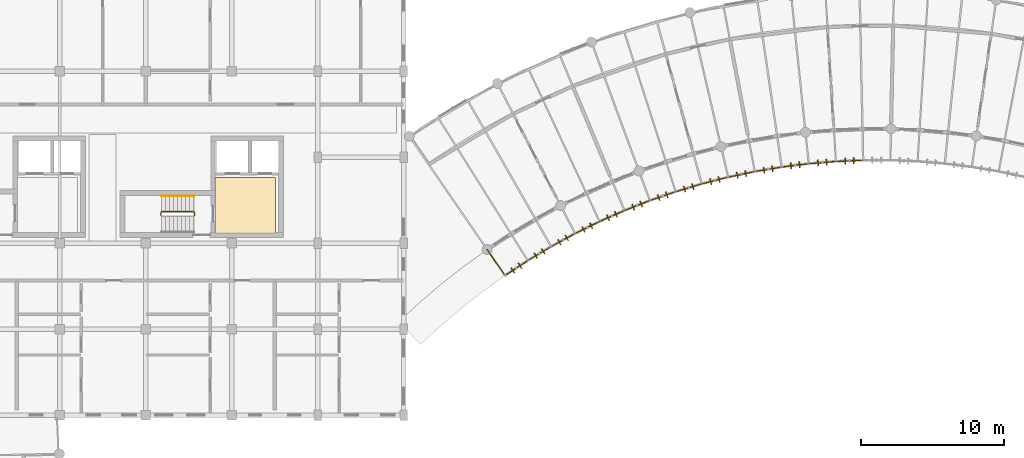
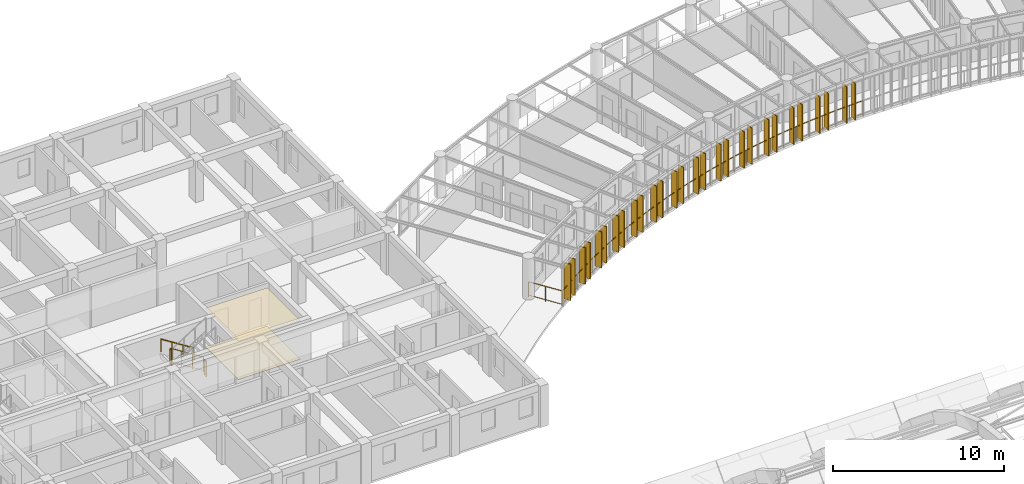
# One storey, part 118 of 123: 28 shading devices, 19 railings, 2 coverings.
"""IFC4 building model written with IfcOpenShell, lengths in metres."""

from ifc_helpers import new_model, si_unit, direction, frame, origin, origin_2d, place, context, subcontext, project, spatial, polyline, rectangle, circle, outline, extrude, material, layer, layer_set, type_object, element, save


model = new_model("IFC4")

# Units and contexts
model_context = context("Model", 3, precision=1e-05, world=origin(), true_north=direction((0.0, 1.0)))
body_context = subcontext(model_context, "Body", "Model", "MODEL_VIEW")
ifc_project = project(units=[si_unit("LENGTHUNIT", "METRE"), si_unit("AREAUNIT", "SQUARE_METRE"), si_unit("VOLUMEUNIT", "CUBIC_METRE"), si_unit("PLANEANGLEUNIT", "RADIAN"), si_unit("MASSUNIT", "GRAM", prefix="KILO"), si_unit("POWERUNIT", "WATT"), si_unit("THERMODYNAMICTEMPERATUREUNIT", "KELVIN")], contexts=[model_context])

# Site, building, storey
site_placement = place(None, origin())
site = spatial("IfcSite", under=ifc_project, at=site_placement, CompositionType="ELEMENT")
building_placement = place(site_placement, origin())
building = spatial("IfcBuilding", under=site, at=building_placement, Name="Ruvembo Vaulted Housing Court", CompositionType="ELEMENT")
storey_placement = place(building_placement, frame((0.0, 0.0, 7.699951171875)))
storey = spatial("IfcBuildingStorey", under=building, at=storey_placement, Name="L02", CompositionType="ELEMENT", Elevation=7.699951171875)

# Coverings
ifc_material_1 = material(Name="Perforated Mineral-Fibre Acoustic Tile", Category="gypsum")
ifc_layer_1 = layer(ifc_material_1, 0.02001953125, Name="Perforated Mineral-Fibre Acoustic Tile")
ifc_layer_set_1 = layer_set([ifc_layer_1], Name="Perforated Mineral-Fibre Acoustic Tile")
covering_type_1 = type_object("IfcCoveringType", Name="COV-CEIL-ACOUST", PredefinedType="CEILING", material=ifc_layer_set_1)
covering_1_placement = place(storey_placement, frame((0.0, 0.0, 2.75)))
element("IfcCovering", 1, at=covering_1_placement, inside=storey, type_object=covering_type_1, Name="Protected Core Lobby B2 Ceiling", PredefinedType="CEILING", context=body_context, shape_type="SweptSolid", body=[
    extrude(outline(polyline([(75.050048828125, 94.60009765625), (70.85009765625, 94.60009765625), (70.85009765625, 90.699951171875), (75.050048828125, 90.699951171875), (75.050048828125, 94.60009765625)])), origin(), (0.0, 0.0, 1.0), 0.02001953125),
])
ifc_material_2 = material(Name="Polished Cement-Aggregate Terrazzo", Category="stone")
ifc_layer_2 = layer(ifc_material_2, 0.02197265625, Name="Polished Cement-Aggregate Terrazzo")
ifc_layer_set_2 = layer_set([ifc_layer_2], Name="Polished Cement-Aggregate Terrazzo")
covering_type_2 = type_object("IfcCoveringType", Name="COV-FLR-CERAMIC", PredefinedType="FLOORING", material=ifc_layer_set_2)
covering_2_placement = place(storey_placement, origin())
element("IfcCovering", 2, at=covering_2_placement, inside=storey, type_object=covering_type_2, Name="Protected Core Lobby B2 Flooring", PredefinedType="FLOORING", context=body_context, shape_type="SweptSolid", body=[
    extrude(outline(polyline([(75.050048828125, 94.60009765625), (70.85009765625, 94.60009765625), (70.85009765625, 90.699951171875), (75.050048828125, 90.699951171875), (75.050048828125, 94.60009765625)])), origin(), (0.0, 0.0, 1.0), 0.02197265625),
])

# Railings
ifc_material_3 = material(Name="Galvanised Painted Steel S275", Category="steel")
ifc_layer_3 = layer(ifc_material_3, 0.06005859375, Name="Galvanised Painted Steel S275")
ifc_layer_set_3 = layer_set([ifc_layer_3], Name="Galvanised Painted Steel S275")
railing_type_1 = type_object("IfcRailingType", Name="RL-GUARD-1100", PredefinedType="GUARDRAIL", material=ifc_layer_set_3)
railing_1_placement = place(storey_placement, frame((89.82177734375, 89.564453125, 0.0)))
element("IfcRailing", 3, at=railing_1_placement, inside=storey, type_object=railing_type_1, Name="L02 Perimeter Guard RL-EXT-L02-0608", PredefinedType="GUARDRAIL", context=body_context, shape_type="SweptSolid", body=[
    extrude(circle(Radius=0.02392578125, at=origin_2d()), frame((0.0, 0.0, 1.076171875), z_axis=(0.566222630619, -0.82425234763, 0.0), x_axis=(0.82425234763, 0.566222630619, 0.0)), (0.0, 0.0, 1.0), 2.199951171875),
    extrude(circle(Radius=0.01806640625, at=origin_2d()), frame((0.0, 0.0, 0.1201171875), z_axis=(0.566222630619, -0.82425234763, 0.0), x_axis=(0.82425234763, 0.566222630619, 0.0)), (0.0, 0.0, 1.0), 2.199951171875),
    extrude(circle(Radius=0.02099609375, at=origin_2d()), origin(), (0.0, 0.0, 1.0), 1.052001953125),
    extrude(circle(Radius=0.02099609375, at=origin_2d()), frame((0.622802734375, -0.90673828125, 0.0)), (0.0, 0.0, 1.0), 1.052001953125),
    extrude(circle(Radius=0.02099609375, at=origin_2d()), frame((1.24560546875, -1.813232421875, 0.0)), (0.0, 0.0, 1.0), 1.052001953125),
])
railing_2_placement = place(storey_placement, frame((91.0673828125, 87.751220703125, 0.0)))
element("IfcRailing", 4, at=railing_2_placement, inside=storey, type_object=railing_type_1, Name="L02 Perimeter Guard RL-EXT-L02-0609", PredefinedType="GUARDRAIL", context=body_context, shape_type="SweptSolid", body=[
    extrude(circle(Radius=0.02392578125, at=origin_2d()), frame((0.0, 0.0, 1.076171875), z_axis=(0.835902452778, 0.548878027834, 0.0), x_axis=(-0.548878027834, 0.835902452778, 0.0)), (0.0, 0.0, 1.0), 1.901123046875),
    extrude(circle(Radius=0.01806640625, at=origin_2d()), frame((0.0, 0.0, 0.1201171875), z_axis=(0.835902452778, 0.548878027834, 0.0), x_axis=(-0.548878027834, 0.835902452778, 0.0)), (0.0, 0.0, 1.0), 1.901123046875),
    extrude(circle(Radius=0.02099609375, at=origin_2d()), origin(), (0.0, 0.0, 1.0), 1.052001953125),
    extrude(circle(Radius=0.02099609375, at=origin_2d()), frame((0.79443359375, 0.521728515625, 0.0)), (0.0, 0.0, 1.0), 1.052001953125),
    extrude(circle(Radius=0.02099609375, at=origin_2d()), frame((1.589111328125, 1.04345703125, 0.0)), (0.0, 0.0, 1.0), 1.052001953125),
])
railing_3_placement = place(storey_placement, frame((92.656494140625, 88.794677734375, 0.0)))
element("IfcRailing", 5, at=railing_3_placement, inside=storey, type_object=railing_type_1, Name="L02 Perimeter Guard RL-EXT-L02-0610", PredefinedType="GUARDRAIL", context=body_context, shape_type="SweptSolid", body=[
    extrude(circle(Radius=0.02392578125, at=origin_2d()), frame((0.0, 0.0, 1.076171875), z_axis=(0.857889282303, 0.513834583607, 0.0), x_axis=(-0.513834583607, 0.857889282303, 0.0)), (0.0, 0.0, 1.0), 1.901123046875),
    extrude(circle(Radius=0.01806640625, at=origin_2d()), frame((0.0, 0.0, 0.1201171875), z_axis=(0.857889282303, 0.513834583607, 0.0), x_axis=(-0.513834583607, 0.857889282303, 0.0)), (0.0, 0.0, 1.0), 1.901123046875),
    extrude(circle(Radius=0.02099609375, at=origin_2d()), origin(), (0.0, 0.0, 1.0), 1.052001953125),
    extrude(circle(Radius=0.02099609375, at=origin_2d()), frame((0.8154296875, 0.48828125, 0.0)), (0.0, 0.0, 1.0), 1.052001953125),
    extrude(circle(Radius=0.02099609375, at=origin_2d()), frame((1.630859375, 0.976806640625, 0.0)), (0.0, 0.0, 1.0), 1.052001953125),
])
railing_4_placement = place(storey_placement, frame((94.287353515625, 89.771484375, 0.0)))
element("IfcRailing", 6, at=railing_4_placement, inside=storey, type_object=railing_type_1, Name="L02 Perimeter Guard RL-EXT-L02-0611", PredefinedType="GUARDRAIL", context=body_context, shape_type="SweptSolid", body=[
    extrude(circle(Radius=0.02392578125, at=origin_2d()), frame((0.0, 0.0, 1.076171875), z_axis=(0.878513214386, 0.477718046706, 0.0), x_axis=(-0.477718046706, 0.878513214386, 0.0)), (0.0, 0.0, 1.0), 1.901123046875),
    extrude(circle(Radius=0.01806640625, at=origin_2d()), frame((0.0, 0.0, 0.1201171875), z_axis=(0.878513214386, 0.477718046706, 0.0), x_axis=(-0.477718046706, 0.878513214386, 0.0)), (0.0, 0.0, 1.0), 1.901123046875),
    extrude(circle(Radius=0.02099609375, at=origin_2d()), origin(), (0.0, 0.0, 1.0), 1.052001953125),
    extrude(circle(Radius=0.02099609375, at=origin_2d()), frame((0.8349609375, 0.4541015625, 0.0)), (0.0, 0.0, 1.0), 1.052001953125),
    extrude(circle(Radius=0.02099609375, at=origin_2d()), frame((1.670166015625, 0.908203125, 0.0)), (0.0, 0.0, 1.0), 1.052001953125),
])
railing_5_placement = place(storey_placement, frame((95.95751953125, 90.6796875, 0.0)))
element("IfcRailing", 7, at=railing_5_placement, inside=storey, type_object=railing_type_1, Name="L02 Perimeter Guard RL-EXT-L02-0612", PredefinedType="GUARDRAIL", context=body_context, shape_type="SweptSolid", body=[
    extrude(circle(Radius=0.02392578125, at=origin_2d()), frame((0.0, 0.0, 1.076171875), z_axis=(0.897513310314, 0.44098736695, 0.0), x_axis=(-0.44098736695, 0.897513310314, 0.0)), (0.0, 0.0, 1.0), 1.901123046875),
    extrude(circle(Radius=0.01806640625, at=origin_2d()), frame((0.0, 0.0, 0.1201171875), z_axis=(0.897513310314, 0.44098736695, 0.0), x_axis=(-0.44098736695, 0.897513310314, 0.0)), (0.0, 0.0, 1.0), 1.901123046875),
    extrude(circle(Radius=0.02099609375, at=origin_2d()), origin(), (0.0, 0.0, 1.0), 1.052001953125),
    extrude(circle(Radius=0.02099609375, at=origin_2d()), frame((0.85302734375, 0.419189453125, 0.0)), (0.0, 0.0, 1.0), 1.052001953125),
    extrude(circle(Radius=0.02099609375, at=origin_2d()), frame((1.706298828125, 0.83837890625, 0.0)), (0.0, 0.0, 1.0), 1.052001953125),
])
railing_6_placement = place(storey_placement, frame((97.663818359375, 91.51806640625, 0.0)))
element("IfcRailing", 8, at=railing_6_placement, inside=storey, type_object=railing_type_1, Name="L02 Perimeter Guard RL-EXT-L02-0613", PredefinedType="GUARDRAIL", context=body_context, shape_type="SweptSolid", body=[
    extrude(circle(Radius=0.02392578125, at=origin_2d()), frame((0.0, 0.0, 1.076171875), z_axis=(0.91507815309, 0.403276547467, 0.0), x_axis=(-0.403276547467, 0.91507815309, 0.0)), (0.0, 0.0, 1.0), 1.90087890625),
    extrude(circle(Radius=0.01806640625, at=origin_2d()), frame((0.0, 0.0, 0.1201171875), z_axis=(0.91507815309, 0.403276547467, 0.0), x_axis=(-0.403276547467, 0.91507815309, 0.0)), (0.0, 0.0, 1.0), 1.90087890625),
    extrude(circle(Radius=0.02099609375, at=origin_2d()), origin(), (0.0, 0.0, 1.0), 1.052001953125),
    extrude(circle(Radius=0.02099609375, at=origin_2d()), frame((0.86962890625, 0.38330078125, 0.0)), (0.0, 0.0, 1.0), 1.052001953125),
    extrude(circle(Radius=0.02099609375, at=origin_2d()), frame((1.739501953125, 0.7666015625, 0.0)), (0.0, 0.0, 1.0), 1.052001953125),
])
railing_7_placement = place(storey_placement, frame((99.4033203125, 92.28466796875, 0.0)))
element("IfcRailing", 9, at=railing_7_placement, inside=storey, type_object=railing_type_1, Name="L02 Perimeter Guard RL-EXT-L02-0614", PredefinedType="GUARDRAIL", context=body_context, shape_type="SweptSolid", body=[
    extrude(circle(Radius=0.02392578125, at=origin_2d()), frame((0.0, 0.0, 1.076171875), z_axis=(0.931005720133, 0.365004587752, 0.0), x_axis=(-0.365004587752, 0.931005720133, 0.0)), (0.0, 0.0, 1.0), 1.90087890625),
    extrude(circle(Radius=0.01806640625, at=origin_2d()), frame((0.0, 0.0, 0.1201171875), z_axis=(0.931005720133, 0.365004587752, 0.0), x_axis=(-0.365004587752, 0.931005720133, 0.0)), (0.0, 0.0, 1.0), 1.90087890625),
    extrude(circle(Radius=0.02099609375, at=origin_2d()), origin(), (0.0, 0.0, 1.0), 1.052001953125),
    extrude(circle(Radius=0.02099609375, at=origin_2d()), frame((0.884765625, 0.346923828125, 0.0)), (0.0, 0.0, 1.0), 1.052001953125),
    extrude(circle(Radius=0.02099609375, at=origin_2d()), frame((1.769775390625, 0.69384765625, 0.0)), (0.0, 0.0, 1.0), 1.052001953125),
])
railing_8_placement = place(storey_placement, frame((101.173095703125, 92.978515625, 0.0)))
element("IfcRailing", 10, at=railing_8_placement, inside=storey, type_object=railing_type_1, Name="L02 Perimeter Guard RL-EXT-L02-0615", PredefinedType="GUARDRAIL", context=body_context, shape_type="SweptSolid", body=[
    extrude(circle(Radius=0.02392578125, at=origin_2d()), frame((0.0, 0.0, 1.076171875), z_axis=(0.945357969834, 0.326034214264, 0.0), x_axis=(-0.326034214264, 0.945357969834, 0.0)), (0.0, 0.0, 1.0), 1.9013671875),
    extrude(circle(Radius=0.01806640625, at=origin_2d()), frame((0.0, 0.0, 0.1201171875), z_axis=(0.945357969834, 0.326034214264, 0.0), x_axis=(-0.326034214264, 0.945357969834, 0.0)), (0.0, 0.0, 1.0), 1.9013671875),
    extrude(circle(Radius=0.02099609375, at=origin_2d()), origin(), (0.0, 0.0, 1.0), 1.052001953125),
    extrude(circle(Radius=0.02099609375, at=origin_2d()), frame((0.898681640625, 0.31005859375, 0.0)), (0.0, 0.0, 1.0), 1.052001953125),
    extrude(circle(Radius=0.02099609375, at=origin_2d()), frame((1.79736328125, 0.619873046875, 0.0)), (0.0, 0.0, 1.0), 1.052001953125),
])
railing_9_placement = place(storey_placement, frame((102.970458984375, 93.598388671875, 0.0)))
element("IfcRailing", 11, at=railing_9_placement, inside=storey, type_object=railing_type_1, Name="L02 Perimeter Guard RL-EXT-L02-0616", PredefinedType="GUARDRAIL", context=body_context, shape_type="SweptSolid", body=[
    extrude(circle(Radius=0.02392578125, at=origin_2d()), frame((0.0, 0.0, 1.076171875), z_axis=(0.958108609181, 0.286405120439, 0.0), x_axis=(-0.286405120439, 0.958108609181, 0.0)), (0.0, 0.0, 1.0), 1.90087890625),
    extrude(circle(Radius=0.01806640625, at=origin_2d()), frame((0.0, 0.0, 0.1201171875), z_axis=(0.958108609181, 0.286405120439, 0.0), x_axis=(-0.286405120439, 0.958108609181, 0.0)), (0.0, 0.0, 1.0), 1.90087890625),
    extrude(circle(Radius=0.02099609375, at=origin_2d()), origin(), (0.0, 0.0, 1.0), 1.052001953125),
    extrude(circle(Radius=0.02099609375, at=origin_2d()), frame((0.91064453125, 0.272216796875, 0.0)), (0.0, 0.0, 1.0), 1.052001953125),
    extrude(circle(Radius=0.02099609375, at=origin_2d()), frame((1.8212890625, 0.54443359375, 0.0)), (0.0, 0.0, 1.0), 1.052001953125),
])
railing_10_placement = place(storey_placement, frame((104.791748046875, 94.142822265625, 0.0)))
element("IfcRailing", 12, at=railing_10_placement, inside=storey, type_object=railing_type_1, Name="L02 Perimeter Guard RL-EXT-L02-0617", PredefinedType="GUARDRAIL", context=body_context, shape_type="SweptSolid", body=[
    extrude(circle(Radius=0.02392578125, at=origin_2d()), frame((0.0, 0.0, 1.076171875), z_axis=(0.969121730429, 0.246582788553, 0.0), x_axis=(-0.246582788553, 0.969121730429, 0.0)), (0.0, 0.0, 1.0), 1.90087890625),
    extrude(circle(Radius=0.01806640625, at=origin_2d()), frame((0.0, 0.0, 0.1201171875), z_axis=(0.969121730429, 0.246582788553, 0.0), x_axis=(-0.246582788553, 0.969121730429, 0.0)), (0.0, 0.0, 1.0), 1.90087890625),
    extrude(circle(Radius=0.02099609375, at=origin_2d()), origin(), (0.0, 0.0, 1.0), 1.052001953125),
    extrude(circle(Radius=0.02099609375, at=origin_2d()), frame((0.921142578125, 0.234375, 0.0)), (0.0, 0.0, 1.0), 1.052001953125),
    extrude(circle(Radius=0.02099609375, at=origin_2d()), frame((1.84228515625, 0.46875, 0.0)), (0.0, 0.0, 1.0), 1.052001953125),
])
railing_11_placement = place(storey_placement, frame((106.634033203125, 94.611572265625, 0.0)))
element("IfcRailing", 13, at=railing_11_placement, inside=storey, type_object=railing_type_1, Name="L02 Perimeter Guard RL-EXT-L02-0618", PredefinedType="GUARDRAIL", context=body_context, shape_type="SweptSolid", body=[
    extrude(circle(Radius=0.02392578125, at=origin_2d()), frame((0.0, 0.0, 1.076171875), z_axis=(0.978529342624, 0.206107558387, 0.0), x_axis=(-0.206107558387, 0.978529342624, 0.0)), (0.0, 0.0, 1.0), 1.901123046875),
    extrude(circle(Radius=0.01806640625, at=origin_2d()), frame((0.0, 0.0, 0.1201171875), z_axis=(0.978529342624, 0.206107558387, 0.0), x_axis=(-0.206107558387, 0.978529342624, 0.0)), (0.0, 0.0, 1.0), 1.901123046875),
    extrude(circle(Radius=0.02099609375, at=origin_2d()), origin(), (0.0, 0.0, 1.0), 1.052001953125),
    extrude(circle(Radius=0.02099609375, at=origin_2d()), frame((0.93017578125, 0.19580078125, 0.0)), (0.0, 0.0, 1.0), 1.052001953125),
    extrude(circle(Radius=0.02099609375, at=origin_2d()), frame((1.8603515625, 0.391845703125, 0.0)), (0.0, 0.0, 1.0), 1.052001953125),
])
railing_12_placement = place(storey_placement, frame((108.494384765625, 95.00341796875, 0.0)))
element("IfcRailing", 14, at=railing_12_placement, inside=storey, type_object=railing_type_1, Name="L02 Perimeter Guard RL-EXT-L02-0619", PredefinedType="GUARDRAIL", context=body_context, shape_type="SweptSolid", body=[
    extrude(circle(Radius=0.02392578125, at=origin_2d()), frame((0.0, 0.0, 1.076171875), z_axis=(0.986265186139, 0.165169557153, 0.0), x_axis=(-0.165169557153, 0.986265186139, 0.0)), (0.0, 0.0, 1.0), 1.90087890625),
    extrude(circle(Radius=0.01806640625, at=origin_2d()), frame((0.0, 0.0, 0.1201171875), z_axis=(0.986265186139, 0.165169557153, 0.0), x_axis=(-0.165169557153, 0.986265186139, 0.0)), (0.0, 0.0, 1.0), 1.90087890625),
    extrude(circle(Radius=0.02099609375, at=origin_2d()), origin(), (0.0, 0.0, 1.0), 1.052001953125),
    extrude(circle(Radius=0.02099609375, at=origin_2d()), frame((0.9375, 0.156982421875, 0.0)), (0.0, 0.0, 1.0), 1.052001953125),
    extrude(circle(Radius=0.02099609375, at=origin_2d()), frame((1.874755859375, 0.31396484375, 0.0)), (0.0, 0.0, 1.0), 1.052001953125),
])
railing_13_placement = place(storey_placement, frame((110.369140625, 95.3173828125, 0.0)))
element("IfcRailing", 15, at=railing_13_placement, inside=storey, type_object=railing_type_1, Name="L02 Perimeter Guard RL-EXT-L02-0620", PredefinedType="GUARDRAIL", context=body_context, shape_type="SweptSolid", body=[
    extrude(circle(Radius=0.02392578125, at=origin_2d()), frame((0.0, 0.0, 1.076171875), z_axis=(0.992244255502, 0.124303408739, 0.0), x_axis=(-0.124303408739, 0.992244255502, 0.0)), (0.0, 0.0, 1.0), 1.901123046875),
    extrude(circle(Radius=0.01806640625, at=origin_2d()), frame((0.0, 0.0, 0.1201171875), z_axis=(0.992244255502, 0.124303408739, 0.0), x_axis=(-0.124303408739, 0.992244255502, 0.0)), (0.0, 0.0, 1.0), 1.901123046875),
    extrude(circle(Radius=0.02099609375, at=origin_2d()), origin(), (0.0, 0.0, 1.0), 1.052001953125),
    extrude(circle(Radius=0.02099609375, at=origin_2d()), frame((0.943359375, 0.1181640625, 0.0)), (0.0, 0.0, 1.0), 1.052001953125),
    extrude(circle(Radius=0.02099609375, at=origin_2d()), frame((1.886474609375, 0.236328125, 0.0)), (0.0, 0.0, 1.0), 1.052001953125),
])
railing_14_placement = place(storey_placement, frame((112.255615234375, 95.5537109375, 0.0)))
element("IfcRailing", 16, at=railing_14_placement, inside=storey, type_object=railing_type_1, Name="L02 Perimeter Guard RL-EXT-L02-0621", PredefinedType="GUARDRAIL", context=body_context, shape_type="SweptSolid", body=[
    extrude(circle(Radius=0.02392578125, at=origin_2d()), frame((0.0, 0.0, 1.076171875), z_axis=(0.99656344911, 0.082832915551, 0.0), x_axis=(-0.082832915551, 0.99656344911, 0.0)), (0.0, 0.0, 1.0), 1.901123046875),
    extrude(circle(Radius=0.01806640625, at=origin_2d()), frame((0.0, 0.0, 0.1201171875), z_axis=(0.99656344911, 0.082832915551, 0.0), x_axis=(-0.082832915551, 0.99656344911, 0.0)), (0.0, 0.0, 1.0), 1.901123046875),
    extrude(circle(Radius=0.02099609375, at=origin_2d()), origin(), (0.0, 0.0, 1.0), 1.052001953125),
    extrude(circle(Radius=0.02099609375, at=origin_2d()), frame((0.947265625, 0.07861328125, 0.0)), (0.0, 0.0, 1.0), 1.052001953125),
    extrude(circle(Radius=0.02099609375, at=origin_2d()), frame((1.89453125, 0.157470703125, 0.0)), (0.0, 0.0, 1.0), 1.052001953125),
])
railing_15_placement = place(storey_placement, frame((114.150146484375, 95.711181640625, 0.0)))
element("IfcRailing", 17, at=railing_15_placement, inside=storey, type_object=railing_type_1, Name="L02 Perimeter Guard RL-EXT-L02-0622", PredefinedType="GUARDRAIL", context=body_context, shape_type="SweptSolid", body=[
    extrude(circle(Radius=0.02392578125, at=origin_2d()), frame((0.0, 0.0, 1.076171875), z_axis=(0.999139293915, 0.041480975827, 0.0), x_axis=(-0.041480975827, 0.999139293915, 0.0)), (0.0, 0.0, 1.0), 1.901123046875),
    extrude(circle(Radius=0.01806640625, at=origin_2d()), frame((0.0, 0.0, 0.1201171875), z_axis=(0.999139293915, 0.041480975827, 0.0), x_axis=(-0.041480975827, 0.999139293915, 0.0)), (0.0, 0.0, 1.0), 1.901123046875),
    extrude(circle(Radius=0.02099609375, at=origin_2d()), origin(), (0.0, 0.0, 1.0), 1.052001953125),
    extrude(circle(Radius=0.02099609375, at=origin_2d()), frame((0.94970703125, 0.03955078125, 0.0)), (0.0, 0.0, 1.0), 1.052001953125),
    extrude(circle(Radius=0.02099609375, at=origin_2d()), frame((1.8994140625, 0.078857421875, 0.0)), (0.0, 0.0, 1.0), 1.052001953125),
])
ifc_material_4 = material(Name="Painted Galvanised Steel S275", Category="steel")
ifc_layer_4 = layer(ifc_material_4, 0.06005859375, Name="Painted Galvanised Steel S275")
ifc_layer_set_4 = layer_set([ifc_layer_4], Name="Painted Galvanised Steel S275")
railing_type_2 = type_object("IfcRailingType", Name="RL-STAIR-GR1100", PredefinedType="GUARDRAIL", material=ifc_layer_set_4)
railing_16_placement = place(storey_placement, frame((69.35009765625, 92.199951171875, 0.177734375)))
element("IfcRailing", 18, at=railing_16_placement, inside=storey, type_object=railing_type_2, Name="L02 ST-B2 stair guard 1", PredefinedType="GUARDRAIL", context=body_context, shape_type="SweptSolid", body=[
    extrude(circle(Radius=0.02392578125, at=origin_2d()), frame((0.0, 0.0, 1.076171875), z_axis=(-0.84418770128, 0.0, 0.536047689118), x_axis=(0.0, -1.0, 0.0)), (0.0, 0.0, 1.0), 2.6533203125),
    extrude(circle(Radius=0.01806640625, at=origin_2d()), frame((0.0, 0.0, 0.1201171875), z_axis=(-0.84418770128, 0.0, 0.536047689118), x_axis=(0.0, -1.0, 0.0)), (0.0, 0.0, 1.0), 2.6533203125),
    extrude(circle(Radius=0.02099609375, at=origin_2d()), origin(), (0.0, 0.0, 1.0), 1.052001953125),
    extrude(circle(Radius=0.02099609375, at=origin_2d()), frame((-0.74658203125, 0.0, 0.47412109375)), (0.0, 0.0, 1.0), 1.052001953125),
    extrude(circle(Radius=0.02099609375, at=origin_2d()), frame((-1.493408203125, 0.0, 0.9482421875)), (0.0, 0.0, 1.0), 1.052001953125),
    extrude(circle(Radius=0.02099609375, at=origin_2d()), frame((-2.239990234375, 0.0, 1.42236328125)), (0.0, 0.0, 1.0), 1.052001953125),
])
for number, where, name in (
    (19, (67.06005859375, 92.14990234375, 1.60009765625), "L02 ST-B2 stair guard 2"),
    (20, (69.39990234375, 92.14990234375, 0.0), "L02 ST-B2 stair guard 4"),
):
    element("IfcRailing", number, at=place(storey_placement, frame(where)), inside=storey, type_object=railing_type_2, Name=name, PredefinedType="GUARDRAIL", context=body_context, shape_type="SweptSolid", body=[
        extrude(circle(Radius=0.02392578125, at=origin_2d()), frame((0.0, 0.0, 1.076171875), z_axis=(0.0, -1.0, 0.0), x_axis=(1.0, 0.0, 0.0)), (0.0, 0.0, 1.0), 0.199951171875),
        extrude(circle(Radius=0.01806640625, at=origin_2d()), frame((0.0, 0.0, 0.1201171875), z_axis=(0.0, -1.0, 0.0), x_axis=(1.0, 0.0, 0.0)), (0.0, 0.0, 1.0), 0.199951171875),
        extrude(circle(Radius=0.02099609375, at=origin_2d()), origin(), (0.0, 0.0, 1.0), 1.052001953125),
        extrude(circle(Radius=0.02099609375, at=origin_2d()), frame((0.0, -0.199951171875, 0.0)), (0.0, 0.0, 1.0), 1.052001953125),
    ])
ifc_material_5 = material(Name="Brushed Stainless Steel 304", Category="steel")
ifc_layer_5 = layer(ifc_material_5, 0.050048828125, Name="Brushed Stainless Steel 304")
ifc_layer_set_5 = layer_set([ifc_layer_5], Name="Brushed Stainless Steel 304")
railing_type_3 = type_object("IfcRailingType", Name="RL-STAIR-HR920", PredefinedType="HANDRAIL", material=ifc_layer_set_5)
railing_17_placement = place(storey_placement, frame((69.35009765625, 93.300048828125, 0.359375)))
element("IfcRailing", 21, at=railing_17_placement, inside=storey, type_object=railing_type_3, Name="L02 ST-B2 stair handrail 1", PredefinedType="HANDRAIL", context=body_context, shape_type="SweptSolid", body=[
    extrude(circle(Radius=0.02392578125, at=origin_2d()), frame((0.0, 0.0, 0.8759765625), z_axis=(-0.8442293374, 0.0, 0.53598211339), x_axis=(0.0, -1.0, 0.0)), (0.0, 0.0, 1.0), 2.6533203125),
    extrude(circle(Radius=0.02099609375, at=origin_2d()), origin(), (0.0, 0.0, 1.0), 0.851806640625),
    extrude(circle(Radius=0.02099609375, at=origin_2d()), frame((-0.74658203125, 0.0, 0.47412109375)), (0.0, 0.0, 1.0), 0.851806640625),
    extrude(circle(Radius=0.02099609375, at=origin_2d()), frame((-1.493408203125, 0.0, 0.947998046875)), (0.0, 0.0, 1.0), 0.851806640625),
    extrude(circle(Radius=0.02099609375, at=origin_2d()), frame((-2.239990234375, 0.0, 1.422119140625)), (0.0, 0.0, 1.0), 0.851806640625),
])

# Shading devices
ifc_material_6 = material(Name="Kiln-Fired Terracotta Extrusion", Category="masonry")
shading_device_type = type_object("IfcShadingDeviceType", Name="SHD-FIN-420", PredefinedType="USERDEFINED", material=ifc_material_6)
for number, where, z_axis, x_axis, name in (
    (22, (91.611083984375, 88.108154296875, 0.050048828125), (0.0, 0.0, 1.0), (0.548964466299, -0.835845688355, 0.0), "Terracotta Brise-Soleil Fin #529"),
    (23, (92.11279296875, 88.4375, 0.050048828125), (0.0, 0.0, 1.0), (0.548964466299, -0.835845688355, 0.0), "Terracotta Brise-Soleil Fin #530"),
    (24, (93.214599609375, 89.12890625, 0.050048828125), (0.0, 0.0, 1.0), (0.513825768915, -0.857894561819, 0.0), "Terracotta Brise-Soleil Fin #531"),
    (25, (93.729248046875, 89.437255859375, 0.050048828125), (0.0, 0.0, 1.0), (0.513825768915, -0.857894561819, 0.0), "Terracotta Brise-Soleil Fin #532"),
    (26, (94.85888671875, 90.082275390625, 0.050048828125), (0.0, 0.0, 1.0), (0.477787506376, -0.878475440038, 0.0), "Terracotta Brise-Soleil Fin #533"),
    (27, (95.385986328125, 90.368896484375, 0.050048828125), (0.0, 0.0, 1.0), (0.477787506376, -0.878475440038, 0.0), "Terracotta Brise-Soleil Fin #534"),
    (28, (96.541259765625, 90.966552734375, 0.050048828125), (0.0, 0.0, 1.0), (0.440910671447, -0.897550990086, 0.0), "Terracotta Brise-Soleil Fin #535"),
    (29, (97.079833984375, 91.231201171875, 0.050048828125), (0.0, 0.0, 1.0), (0.440910671447, -0.897550990086, 0.0), "Terracotta Brise-Soleil Fin #536"),
    (30, (98.259033203125, 91.780517578125, 0.050048828125), (0.0, 0.0, 1.0), (0.403305746645, -0.915065284405, 0.0), "Terracotta Brise-Soleil Fin #537"),
    (31, (98.80810546875, 92.022216796875, 0.050048828125), (0.0, 0.0, 1.0), (0.403305746645, -0.915065284405, 0.0), "Terracotta Brise-Soleil Fin #538"),
    (32, (100.0087890625, 92.522216796875, 0.050048828125), (0.0, 0.0, 1.0), (0.364958032896, -0.931023970811, 0.0), "Terracotta Brise-Soleil Fin #539"),
    (33, (100.567626953125, 92.7412109375, 0.050048828125), (0.0, 0.0, 1.0), (0.364958032896, -0.931023970811, 0.0), "Terracotta Brise-Soleil Fin #540"),
    (34, (101.7880859375, 93.190673828125, 0.050048828125), (0.0, 0.0, 1.0), (0.326030183107, -0.945359360087, 0.0), "Terracotta Brise-Soleil Fin #541"),
    (35, (102.35546875, 93.38623046875, 0.050048828125), (0.0, 0.0, 1.0), (0.326030183107, -0.945359360087, 0.0), "Terracotta Brise-Soleil Fin #542"),
    (36, (103.593505859375, 93.78466796875, 0.050048828125), (0.0, 0.0, 1.0), (0.2864911095, -0.958082900472, 0.0), "Terracotta Brise-Soleil Fin #543"),
    (37, (104.16845703125, 93.95654296875, 0.050048828125), (0.0, 0.0, 1.0), (0.2864911095, -0.958082900472, 0.0), "Terracotta Brise-Soleil Fin #544"),
    (38, (105.422119140625, 94.30322265625, 0.050048828125), (0.0, 0.0, 1.0), (0.246491603437, -0.969144926951, 0.0), "Terracotta Brise-Soleil Fin #545"),
    (39, (106.003662109375, 94.451171875, 0.050048828125), (0.0, 0.0, 1.0), (0.246491603437, -0.969144926951, 0.0), "Terracotta Brise-Soleil Fin #546"),
    (40, (107.2705078125, 94.74560546875, 0.050048828125), (0.0, 0.0, 1.0), (0.206101715045, -0.978530573388, 0.0), "Terracotta Brise-Soleil Fin #547"),
    (41, (107.85791015625, 94.869140625, 0.050048828125), (0.0, 0.0, 1.0), (0.206101715045, -0.978530573388, 0.0), "Terracotta Brise-Soleil Fin #548"),
    (42, (109.135986328125, 95.11083984375, 0.050048828125), (0.0, 0.0, 1.0), (0.165271382715, -0.986248128037, 0.0), "Terracotta Brise-Soleil Fin #549"),
    (43, (109.7275390625, 95.2099609375, 0.050048828125), (0.0, 0.0, 1.0), (0.165271382715, -0.986248128037, 0.0), "Terracotta Brise-Soleil Fin #550"),
    (44, (111.0146484375, 95.398193359375, 0.050048828125), (0.0, 0.0, 1.0), (0.12419031657, -0.992258416578, 0.0), "Terracotta Brise-Soleil Fin #551"),
    (45, (111.610107421875, 95.472900390625, 0.050048828125), (0.0, 0.0, 1.0), (0.12419031657, -0.992258416578, 0.0), "Terracotta Brise-Soleil Fin #552"),
    (46, (112.90380859375, 95.607421875, 0.050048828125), (0.0, 0.0, 1.0), (0.082895173943, -0.996558272324, 0.0), "Terracotta Brise-Soleil Fin #553"),
    (47, (113.501708984375, 95.6572265625, 0.050048828125), (0.0, 0.0, 1.0), (0.082895173943, -0.996558272324, 0.0), "Terracotta Brise-Soleil Fin #554"),
    (48, (114.800048828125, 95.73828125, 0.050048828125), (0.0, 0.0, 1.0), (0.041509453281, -0.999138111218, 0.0), "Terracotta Brise-Soleil Fin #555"),
    (49, (115.3994140625, 95.76318359375, 0.050048828125), (0.0, 0.0, 1.0), (0.041509453281, -0.999138111218, 0.0), "Terracotta Brise-Soleil Fin #556"),
):
    element("IfcShadingDevice", number, at=place(storey_placement, frame(where, z_axis=z_axis, x_axis=x_axis)), inside=storey, type_object=shading_device_type, Name=name, ObjectType="FIN", PredefinedType="USERDEFINED", context=body_context, shape_type="SweptSolid", body=[
        extrude(rectangle(XDim=0.419921875, YDim=0.06494140625, at=origin_2d()), origin(), (0.0, 0.0, 1.0), 2.60302734375),
    ])

save(model, "model.ifc")
